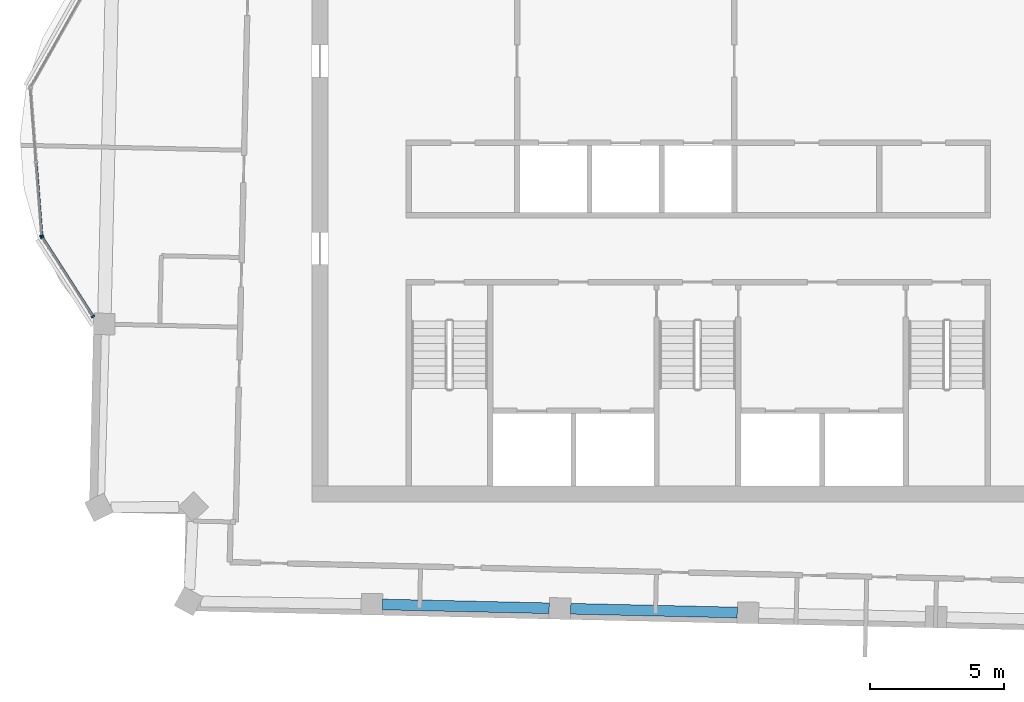
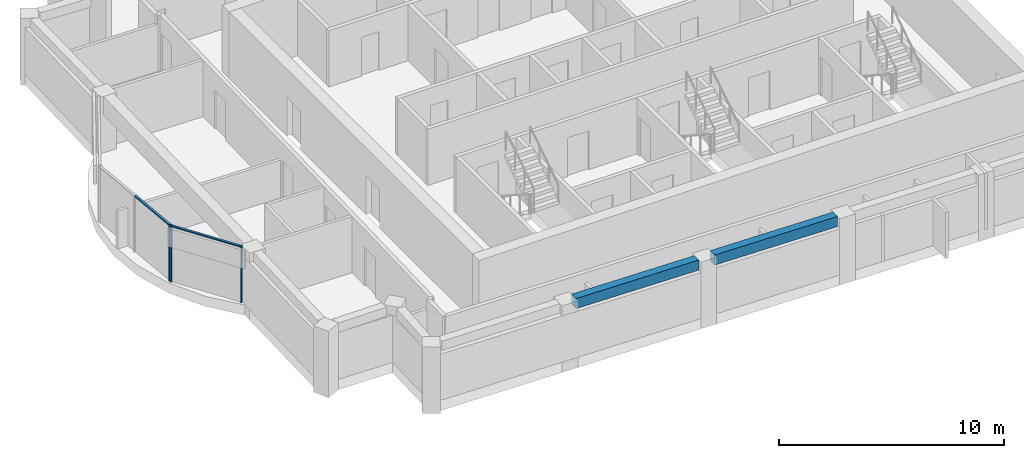
# One storey, part 2 of 12: 5 members, 2 beams, 2 elements without a shape of their own.
"""IFC4 building model written with IfcOpenShell, lengths in metres."""

from ifc_helpers import new_model, si_unit, direction, frame, origin, origin_2d, place, context, subcontext, project, spatial, rectangle, extrude, material, material_profile, profile_set, type_object, element, aggregate, save


model = new_model("IFC4")

# Units and contexts
model_context = context("Model", 3, precision=1e-05, world=origin(), true_north=direction((0.0, 1.0)))
body_context = subcontext(model_context, "Body", "Model", "MODEL_VIEW")
ifc_project = project(units=[si_unit("LENGTHUNIT", "METRE"), si_unit("AREAUNIT", "SQUARE_METRE"), si_unit("VOLUMEUNIT", "CUBIC_METRE"), si_unit("PLANEANGLEUNIT", "RADIAN"), si_unit("MASSUNIT", "GRAM", prefix="KILO")], contexts=[model_context])

# Site, building, storey
site_placement = place(None, origin())
site = spatial("IfcSite", under=ifc_project, at=site_placement, CompositionType="ELEMENT")
building_placement = place(site_placement, origin())
building = spatial("IfcBuilding", under=site, at=building_placement, Name="Mangrove Gate Tower", CompositionType="ELEMENT")
storey_placement = place(building_placement, frame((0.0, 0.0, 350.699951171875)))
storey = spatial("IfcBuildingStorey", under=building, at=storey_placement, Name="L89", CompositionType="ELEMENT", Elevation=350.699951171875)

# Curtain wall, member
ifc_material_1 = material(Name="Aluminium and glass curtain wall", Category="aluminium")
curtain_wall_type = type_object("IfcCurtainWallType", Name="Crown garden glazing wall", PredefinedType="NOTDEFINED", material=ifc_material_1)
curtain_wall_1_placement = place(storey_placement, origin())
curtain_wall_1 = element("IfcCurtainWall", 1, at=curtain_wall_1_placement, inside=storey, type_object=curtain_wall_type, Name="Crown garden glazing W9f2", PredefinedType="NOTDEFINED")
ifc_material_2 = material(Name="Aluminium alloy 6063-T6", Category="aluminium")
ifc_material_profile_1 = material_profile(ifc_material_2, rectangle(XDim=0.06005859375, YDim=0.139892578125, at=origin_2d()))
ifc_profile_set_1 = profile_set([ifc_material_profile_1], Name="Aluminium alloy 6063-T6")
member_type_1 = type_object("IfcMemberType", Name="Crown garden glazing mullion 60x140", PredefinedType="MULLION", material=ifc_profile_set_1)
member_1_placement = place(storey_placement, frame((-24.486083984375, -1.47412109375, 0.0), z_axis=(0.0, 0.0, 1.0), x_axis=(0.077023348403, -0.997029289339, 0.0)))
member_1 = element("IfcMember", 2, at=member_1_placement, type_object=member_type_1, Name="CWC mullion 3", PredefinedType="MULLION", context=body_context, shape_type="SweptSolid", body=[
    extrude(rectangle(XDim=0.06005859375, YDim=0.139892578125, at=origin_2d()), origin(), (0.0, 0.0, 1.0), 3.050048828125),
])

# Curtain wall, members
curtain_wall_2_placement = place(storey_placement, origin())
curtain_wall_2 = element("IfcCurtainWall", 3, at=curtain_wall_2_placement, inside=storey, type_object=curtain_wall_type, Name="Crown garden glazing W9f3", PredefinedType="NOTDEFINED")
member_2_placement = place(storey_placement, frame((-24.4677734375, -1.529296875, 0.0), z_axis=(0.0, 0.0, 1.0), x_axis=(0.540495927168, -0.841346630537, 0.0)))
member_2 = element("IfcMember", 4, at=member_2_placement, type_object=member_type_1, Name="CWC mullion 1", PredefinedType="MULLION", context=body_context, shape_type="SweptSolid", body=[
    extrude(rectangle(XDim=0.06005859375, YDim=0.139892578125, at=origin_2d()), origin(), (0.0, 0.0, 1.0), 3.050048828125),
])
member_3_placement = place(storey_placement, frame((-22.571533203125, -4.480712890625, 0.0), z_axis=(0.0, 0.0, 1.0), x_axis=(0.540495927168, -0.841346630537, 0.0)))
member_3 = element("IfcMember", 5, at=member_3_placement, type_object=member_type_1, Name="CWC mullion 2", PredefinedType="MULLION", context=body_context, shape_type="SweptSolid", body=[
    extrude(rectangle(XDim=0.06005859375, YDim=0.139892578125, at=origin_2d()), origin(), (0.0, 0.0, 1.0), 3.050048828125),
])

# Member
ifc_material_3 = material(Name="Aluminium alloy 6063-T6", Category="aluminium")
ifc_material_profile_2 = material_profile(ifc_material_3, rectangle(XDim=0.06005859375, YDim=0.110107421875, at=origin_2d()))
ifc_profile_set_2 = profile_set([ifc_material_profile_2], Name="Aluminium alloy 6063-T6")
member_type_2 = type_object("IfcMemberType", Name="Crown garden glazing transom 60x110", PredefinedType="USERDEFINED", material=ifc_profile_set_2)
member_4_placement = place(storey_placement, frame((-24.6962890625, 1.24462890625, 3.02001953125), z_axis=(0.077042645639, -0.997027798385, 0.0), x_axis=(0.0, 0.0, 1.0)))
member_4 = element("IfcMember", 6, at=member_4_placement, type_object=member_type_2, Name="CWC transom 2.2", ObjectType="TRANSOM", PredefinedType="USERDEFINED", context=body_context, shape_type="SweptSolid", body=[
    extrude(rectangle(XDim=0.06005859375, YDim=0.110107421875, at=origin_2d()), origin(), (0.0, 0.0, 1.0), 2.69677734375),
])

aggregate(curtain_wall_1, [member_1, member_4])

member_5_placement = place(storey_placement, frame((-24.451416015625, -1.554443359375, 3.02001953125), z_axis=(0.540485574444, -0.841353281219, 0.0), x_axis=(0.0, 0.0, 1.0)))
member_5 = element("IfcMember", 7, at=member_5_placement, type_object=member_type_2, Name="CWC transom 1.2", ObjectType="TRANSOM", PredefinedType="USERDEFINED", context=body_context, shape_type="SweptSolid", body=[
    extrude(rectangle(XDim=0.06005859375, YDim=0.110107421875, at=origin_2d()), origin(), (0.0, 0.0, 1.0), 3.44775390625),
])

aggregate(curtain_wall_2, [member_2, member_3, member_5])

# Beams
ifc_material_4 = material(Name="Concrete C50/60", Category="concrete")
ifc_material_profile_3 = material_profile(ifc_material_4, rectangle(XDim=0.39990234375, YDim=0.550048828125, at=origin_2d()))
ifc_profile_set_3 = profile_set([ifc_material_profile_3], Name="Concrete C50/60")
beam_type = type_object("IfcBeamType", Name="Edge beam RC 400x550 C50/60", PredefinedType="BEAM", material=ifc_profile_set_3)
beam_1_placement = place(storey_placement, frame((-11.76904296875, -15.22314453125, 2.775146484375), z_axis=(0.999739682061, -0.022815961791, 0.0), x_axis=(0.022815961791, 0.999739682061, 0.0)))
element("IfcBeam", 8, at=beam_1_placement, inside=storey, type_object=beam_type, Name="Edge beam L89 04", PredefinedType="BEAM", context=body_context, shape_type="SweptSolid", body=[
    extrude(rectangle(XDim=0.39990234375, YDim=0.550048828125, at=origin_2d()), origin(), (0.0, 0.0, 1.0), 6.217041015625),
])
beam_2_placement = place(storey_placement, frame((-4.75390625, -15.383056640625, 2.775146484375), z_axis=(0.999743232595, -0.022659851719, 0.0), x_axis=(0.022659851719, 0.999743232595, 0.0)))
element("IfcBeam", 9, at=beam_2_placement, inside=storey, type_object=beam_type, Name="Edge beam L89 05", PredefinedType="BEAM", context=body_context, shape_type="SweptSolid", body=[
    extrude(rectangle(XDim=0.39990234375, YDim=0.550048828125, at=origin_2d()), origin(), (0.0, 0.0, 1.0), 6.216796875),
])

save(model, "model.ifc")
